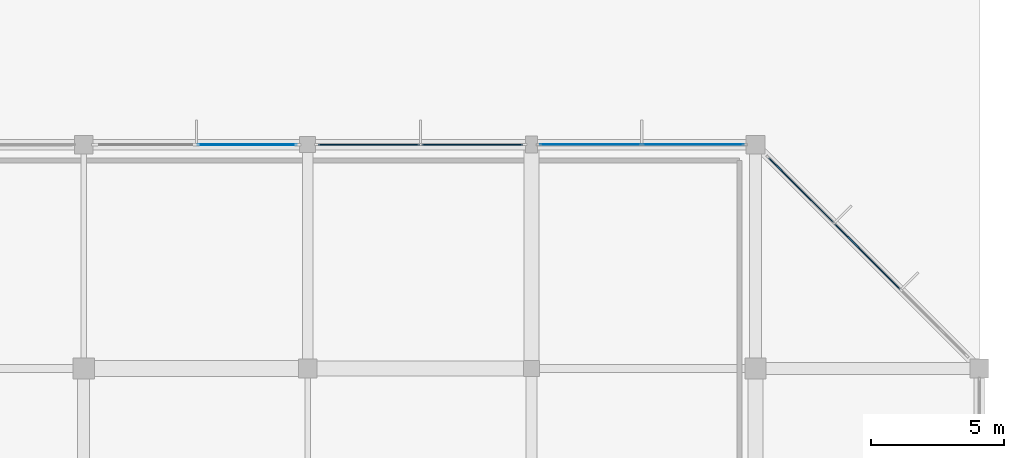
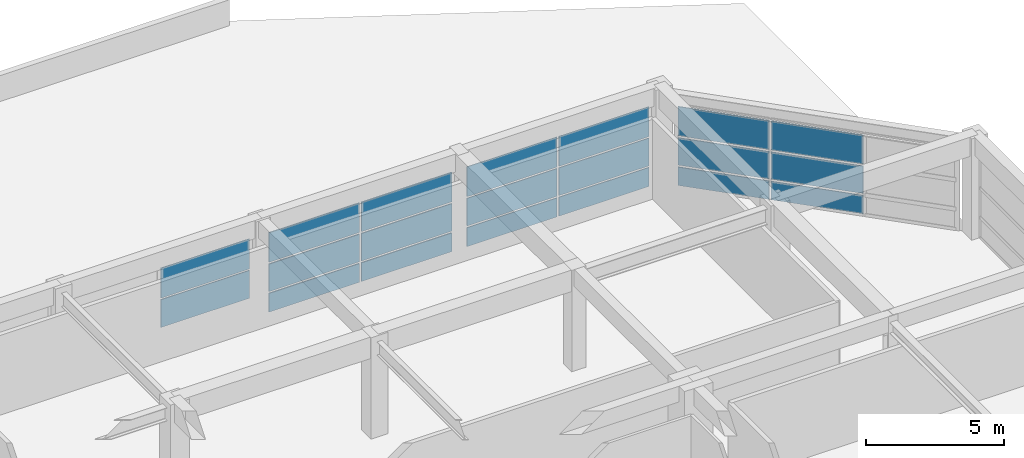
# One storey, part 42 of 60: 20 plates, 4 elements without a shape of their own.
"""IFC4 building model written with IfcOpenShell, lengths in metres."""

from ifc_helpers import new_model, si_unit, direction, frame, origin, origin_2d, place, context, subcontext, project, spatial, rectangle, extrude, material, layer, layer_set, type_object, element, aggregate, save


model = new_model("IFC4")

# Units and contexts
model_context = context("Model", 3, precision=1e-05, world=origin(), true_north=direction((0.0, 1.0)))
body_context = subcontext(model_context, "Body", "Model", "MODEL_VIEW")
ifc_project = project(units=[si_unit("LENGTHUNIT", "METRE"), si_unit("AREAUNIT", "SQUARE_METRE"), si_unit("VOLUMEUNIT", "CUBIC_METRE"), si_unit("PLANEANGLEUNIT", "RADIAN"), si_unit("MASSUNIT", "GRAM", prefix="KILO")], contexts=[model_context])

# Site, building, storey
site_placement = place(None, origin())
site = spatial("IfcSite", under=ifc_project, at=site_placement, CompositionType="ELEMENT")
building_placement = place(site_placement, origin())
building = spatial("IfcBuilding", under=site, at=building_placement, Name="Xuanlan Plaza Opera House", CompositionType="ELEMENT")
storey_placement = place(building_placement, frame((0.0, 0.0, 9.89990234375)))
storey = spatial("IfcBuildingStorey", under=building, at=storey_placement, Name="L02", CompositionType="ELEMENT", Elevation=9.89990234375)

# Curtain wall, plates
ifc_material_1 = material(Name="Anodised Aluminium 6063-T6 and Low-E Glass", Category="aluminium")
curtain_wall_type_1 = type_object("IfcCurtainWallType", Name="ENV-CW-CW-01", PredefinedType="USERDEFINED", material=ifc_material_1)
curtain_wall_1_placement = place(storey_placement, origin())
curtain_wall_1 = element("IfcCurtainWall", 1, at=curtain_wall_1_placement, inside=storey, type_object=curtain_wall_type_1, Name="Unitised Curtain Wall L02-029", ObjectType="UNITISED CURTAIN WALL", PredefinedType="USERDEFINED")
ifc_material_2 = material(Name="Laminated Acoustic Double Glazing", Category="glass")
ifc_layer_1 = layer(ifc_material_2, 0.028076171875)
ifc_layer_set_1 = layer_set([ifc_layer_1], Name="Laminated Acoustic Double Glazing")
plate_type_1 = type_object("IfcPlateType", Name="ENV-CWP-01", PredefinedType="CURTAIN_PANEL", material=ifc_layer_set_1)
plate_1_placement = place(storey_placement, frame((157.264892578125, 100.800048828125, 0.0703125), z_axis=(0.0, 0.0, 1.0), x_axis=(-1.0, 0.0, 0.0)))
plate_1 = element("IfcPlate", 2, at=plate_1_placement, type_object=plate_type_1, Name="CW-01 panel 1.1", PredefinedType="CURTAIN_PANEL", context=body_context, shape_type="SweptSolid", body=[
    extrude(rectangle(XDim=3.780029296875, YDim=0.028076171875, at=origin_2d()), origin(), (0.0, 0.0, 1.0), 0.844970703125),
])
plate_2_placement = place(storey_placement, frame((157.264892578125, 100.800048828125, 0.985107421875), z_axis=(0.0, 0.0, 1.0), x_axis=(-1.0, 0.0, 0.0)))
plate_2 = element("IfcPlate", 3, at=plate_2_placement, type_object=plate_type_1, Name="CW-01 panel 1.2", PredefinedType="CURTAIN_PANEL", context=body_context, shape_type="SweptSolid", body=[
    extrude(rectangle(XDim=3.780029296875, YDim=0.028076171875, at=origin_2d()), origin(), (0.0, 0.0, 1.0), 1.22998046875),
])
plate_3_placement = place(storey_placement, frame((157.264892578125, 100.800048828125, 2.28515625), z_axis=(0.0, 0.0, 1.0), x_axis=(-1.0, 0.0, 0.0)))
plate_3 = element("IfcPlate", 4, at=plate_3_placement, type_object=plate_type_1, Name="CW-01 panel 1.3", PredefinedType="CURTAIN_PANEL", context=body_context, shape_type="SweptSolid", body=[
    extrude(rectangle(XDim=3.780029296875, YDim=0.028076171875, at=origin_2d()), origin(), (0.0, 0.0, 1.0), 1.324951171875),
])
plate_4_placement = place(storey_placement, frame((153.409912109375, 100.800048828125, 0.0703125), z_axis=(0.0, 0.0, 1.0), x_axis=(-1.0, 0.0, 0.0)))
plate_4 = element("IfcPlate", 5, at=plate_4_placement, type_object=plate_type_1, Name="CW-01 panel 2.1", PredefinedType="CURTAIN_PANEL", context=body_context, shape_type="SweptSolid", body=[
    extrude(rectangle(XDim=3.780029296875, YDim=0.028076171875, at=origin_2d()), origin(), (0.0, 0.0, 1.0), 0.844970703125),
])
plate_5_placement = place(storey_placement, frame((153.409912109375, 100.800048828125, 0.985107421875), z_axis=(0.0, 0.0, 1.0), x_axis=(-1.0, 0.0, 0.0)))
plate_5 = element("IfcPlate", 6, at=plate_5_placement, type_object=plate_type_1, Name="CW-01 panel 2.2", PredefinedType="CURTAIN_PANEL", context=body_context, shape_type="SweptSolid", body=[
    extrude(rectangle(XDim=3.780029296875, YDim=0.028076171875, at=origin_2d()), origin(), (0.0, 0.0, 1.0), 1.22998046875),
])
plate_6_placement = place(storey_placement, frame((153.409912109375, 100.800048828125, 2.28515625), z_axis=(0.0, 0.0, 1.0), x_axis=(-1.0, 0.0, 0.0)))
plate_6 = element("IfcPlate", 7, at=plate_6_placement, type_object=plate_type_1, Name="CW-01 panel 2.3", PredefinedType="CURTAIN_PANEL", context=body_context, shape_type="SweptSolid", body=[
    extrude(rectangle(XDim=3.780029296875, YDim=0.028076171875, at=origin_2d()), origin(), (0.0, 0.0, 1.0), 1.324951171875),
])
aggregate(curtain_wall_1, [plate_1, plate_2, plate_3, plate_4, plate_5, plate_6])

curtain_wall_type_2 = type_object("IfcCurtainWallType", Name="ENV-CW-CW-03", PredefinedType="USERDEFINED", material=ifc_material_1)
curtain_wall_2_placement = place(storey_placement, origin())
curtain_wall_2 = element("IfcCurtainWall", 8, at=curtain_wall_2_placement, inside=storey, type_object=curtain_wall_type_2, Name="Unitised Curtain Wall L02-031", ObjectType="UNITISED CURTAIN WALL", PredefinedType="USERDEFINED")
ifc_layer_2 = layer(ifc_material_2, 0.031982421875)
ifc_layer_set_2 = layer_set([ifc_layer_2], Name="Laminated Acoustic Double Glazing")
plate_type_2 = type_object("IfcPlateType", Name="ENV-CWP-02", PredefinedType="CURTAIN_PANEL", material=ifc_layer_set_2)
plate_7_placement = place(storey_placement, frame((140.530029296875, 100.800048828125, 0.982421875), z_axis=(0.0, 0.0, 1.0), x_axis=(-1.0, 0.0, 0.0)))
plate_7 = element("IfcPlate", 9, at=plate_7_placement, type_object=plate_type_2, Name="CW-03 panel 1.2", PredefinedType="CURTAIN_PANEL", context=body_context, shape_type="SweptSolid", body=[
    extrude(rectangle(XDim=3.719970703125, YDim=0.031982421875, at=origin_2d()), origin(), (0.0, 0.0, 1.0), 1.235107421875),
])
plate_8_placement = place(storey_placement, frame((140.530029296875, 100.800048828125, 2.282470703125), z_axis=(0.0, 0.0, 1.0), x_axis=(-1.0, 0.0, 0.0)))
plate_8 = element("IfcPlate", 10, at=plate_8_placement, type_object=plate_type_2, Name="CW-03 panel 1.3", PredefinedType="CURTAIN_PANEL", context=body_context, shape_type="SweptSolid", body=[
    extrude(rectangle(XDim=3.719970703125, YDim=0.031982421875, at=origin_2d()), origin(), (0.0, 0.0, 1.0), 1.33251953125),
])
aggregate(curtain_wall_2, [plate_7, plate_8])

curtain_wall_type_3 = type_object("IfcCurtainWallType", Name="ENV-CW-CW-04", PredefinedType="USERDEFINED", material=ifc_material_1)
curtain_wall_3_placement = place(storey_placement, origin())
curtain_wall_3 = element("IfcCurtainWall", 11, at=curtain_wall_3_placement, inside=storey, type_object=curtain_wall_type_3, Name="Unitised Curtain Wall L02-028", ObjectType="UNITISED CURTAIN WALL", PredefinedType="USERDEFINED")
ifc_layer_3 = layer(ifc_material_2, 0.035888671875)
ifc_layer_set_3 = layer_set([ifc_layer_3], Name="Laminated Acoustic Double Glazing")
plate_type_3 = type_object("IfcPlateType", Name="ENV-CWP-03", PredefinedType="CURTAIN_PANEL", material=ifc_layer_set_3)
plate_9_placement = place(storey_placement, frame((163.800048828125, 96.60009765625, 0.090087890625), z_axis=(0.0, 0.0, 1.0), x_axis=(-0.707106781187, 0.707106781187, 0.0)))
plate_9 = element("IfcPlate", 12, at=plate_9_placement, type_object=plate_type_3, Name="CW-04 panel 2.1", PredefinedType="CURTAIN_PANEL", context=body_context, shape_type="SweptSolid", body=[
    extrude(rectangle(XDim=3.466552734375, YDim=0.035888671875, at=origin_2d()), origin(), (0.0, 0.0, 1.0), 0.81494140625),
])
plate_10_placement = place(storey_placement, frame((163.800048828125, 96.60009765625, 0.9951171875), z_axis=(0.0, 0.0, 1.0), x_axis=(-0.707106781187, 0.707106781187, 0.0)))
plate_10 = element("IfcPlate", 13, at=plate_10_placement, type_object=plate_type_3, Name="CW-04 panel 2.2", PredefinedType="CURTAIN_PANEL", context=body_context, shape_type="SweptSolid", body=[
    extrude(rectangle(XDim=3.466552734375, YDim=0.035888671875, at=origin_2d()), origin(), (0.0, 0.0, 1.0), 1.2099609375),
])
plate_11_placement = place(storey_placement, frame((163.800048828125, 96.60009765625, 2.295166015625), z_axis=(0.0, 0.0, 1.0), x_axis=(-0.707106781187, 0.707106781187, 0.0)))
plate_11 = element("IfcPlate", 14, at=plate_11_placement, type_object=plate_type_3, Name="CW-04 panel 2.3", PredefinedType="CURTAIN_PANEL", context=body_context, shape_type="SweptSolid", body=[
    extrude(rectangle(XDim=3.466552734375, YDim=0.035888671875, at=origin_2d()), origin(), (0.0, 0.0, 1.0), 1.294921875),
])
plate_12_placement = place(storey_placement, frame((161.311767578125, 99.08837890625, 0.090087890625), z_axis=(0.0, 0.0, 1.0), x_axis=(-0.707106781187, 0.707106781187, 0.0)))
plate_12 = element("IfcPlate", 15, at=plate_12_placement, type_object=plate_type_3, Name="CW-04 panel 3.1", PredefinedType="CURTAIN_PANEL", context=body_context, shape_type="SweptSolid", body=[
    extrude(rectangle(XDim=3.431396484375, YDim=0.035888671875, at=origin_2d()), origin(), (0.0, 0.0, 1.0), 0.81494140625),
])
plate_13_placement = place(storey_placement, frame((161.311767578125, 99.08837890625, 0.9951171875), z_axis=(0.0, 0.0, 1.0), x_axis=(-0.707106781187, 0.707106781187, 0.0)))
plate_13 = element("IfcPlate", 16, at=plate_13_placement, type_object=plate_type_3, Name="CW-04 panel 3.2", PredefinedType="CURTAIN_PANEL", context=body_context, shape_type="SweptSolid", body=[
    extrude(rectangle(XDim=3.431396484375, YDim=0.035888671875, at=origin_2d()), origin(), (0.0, 0.0, 1.0), 1.2099609375),
])
plate_14_placement = place(storey_placement, frame((161.311767578125, 99.08837890625, 2.295166015625), z_axis=(0.0, 0.0, 1.0), x_axis=(-0.707106781187, 0.707106781187, 0.0)))
plate_14 = element("IfcPlate", 17, at=plate_14_placement, type_object=plate_type_3, Name="CW-04 panel 3.3", PredefinedType="CURTAIN_PANEL", context=body_context, shape_type="SweptSolid", body=[
    extrude(rectangle(XDim=3.431396484375, YDim=0.035888671875, at=origin_2d()), origin(), (0.0, 0.0, 1.0), 1.294921875),
])
aggregate(curtain_wall_3, [plate_9, plate_10, plate_11, plate_12, plate_13, plate_14])

curtain_wall_type_4 = type_object("IfcCurtainWallType", Name="ENV-CW-CW-02", PredefinedType="USERDEFINED", material=ifc_material_1)
curtain_wall_4_placement = place(storey_placement, origin())
curtain_wall_4 = element("IfcCurtainWall", 18, at=curtain_wall_4_placement, inside=storey, type_object=curtain_wall_type_4, Name="Unitised Curtain Wall L02-030", ObjectType="UNITISED CURTAIN WALL", PredefinedType="USERDEFINED")
ifc_layer_4 = layer(ifc_material_2, 0.0400390625)
ifc_layer_set_4 = layer_set([ifc_layer_4], Name="Laminated Acoustic Double Glazing")
plate_type_4 = type_object("IfcPlateType", Name="ENV-CWP-04", PredefinedType="CURTAIN_PANEL", material=ifc_layer_set_4)
plate_15_placement = place(storey_placement, frame((148.976318359375, 100.800048828125, 0.080078125), z_axis=(0.0, 0.0, 1.0), x_axis=(-1.0, 0.0, 0.0)))
plate_15 = element("IfcPlate", 19, at=plate_15_placement, type_object=plate_type_4, Name="CW-02 panel 1.1", PredefinedType="CURTAIN_PANEL", context=body_context, shape_type="SweptSolid", body=[
    extrude(rectangle(XDim=3.797607421875, YDim=0.0400390625, at=origin_2d()), origin(), (0.0, 0.0, 1.0), 0.830078125),
])
plate_16_placement = place(storey_placement, frame((148.976318359375, 100.800048828125, 0.990234375), z_axis=(0.0, 0.0, 1.0), x_axis=(-1.0, 0.0, 0.0)))
plate_16 = element("IfcPlate", 20, at=plate_16_placement, type_object=plate_type_4, Name="CW-02 panel 1.2", PredefinedType="CURTAIN_PANEL", context=body_context, shape_type="SweptSolid", body=[
    extrude(rectangle(XDim=3.797607421875, YDim=0.0400390625, at=origin_2d()), origin(), (0.0, 0.0, 1.0), 1.219970703125),
])
plate_17_placement = place(storey_placement, frame((148.976318359375, 100.800048828125, 2.2900390625), z_axis=(0.0, 0.0, 1.0), x_axis=(-1.0, 0.0, 0.0)))
plate_17 = element("IfcPlate", 21, at=plate_17_placement, type_object=plate_type_4, Name="CW-02 panel 1.3", PredefinedType="CURTAIN_PANEL", context=body_context, shape_type="SweptSolid", body=[
    extrude(rectangle(XDim=3.797607421875, YDim=0.0400390625, at=origin_2d()), origin(), (0.0, 0.0, 1.0), 1.31005859375),
])
plate_18_placement = place(storey_placement, frame((145.0986328125, 100.800048828125, 0.080078125), z_axis=(0.0, 0.0, 1.0), x_axis=(-1.0, 0.0, 0.0)))
plate_18 = element("IfcPlate", 22, at=plate_18_placement, type_object=plate_type_4, Name="CW-02 panel 2.1", PredefinedType="CURTAIN_PANEL", context=body_context, shape_type="SweptSolid", body=[
    extrude(rectangle(XDim=3.797607421875, YDim=0.0400390625, at=origin_2d()), origin(), (0.0, 0.0, 1.0), 0.830078125),
])
plate_19_placement = place(storey_placement, frame((145.0986328125, 100.800048828125, 0.990234375), z_axis=(0.0, 0.0, 1.0), x_axis=(-1.0, 0.0, 0.0)))
plate_19 = element("IfcPlate", 23, at=plate_19_placement, type_object=plate_type_4, Name="CW-02 panel 2.2", PredefinedType="CURTAIN_PANEL", context=body_context, shape_type="SweptSolid", body=[
    extrude(rectangle(XDim=3.797607421875, YDim=0.0400390625, at=origin_2d()), origin(), (0.0, 0.0, 1.0), 1.219970703125),
])
plate_20_placement = place(storey_placement, frame((145.0986328125, 100.800048828125, 2.2900390625), z_axis=(0.0, 0.0, 1.0), x_axis=(-1.0, 0.0, 0.0)))
plate_20 = element("IfcPlate", 24, at=plate_20_placement, type_object=plate_type_4, Name="CW-02 panel 2.3", PredefinedType="CURTAIN_PANEL", context=body_context, shape_type="SweptSolid", body=[
    extrude(rectangle(XDim=3.797607421875, YDim=0.0400390625, at=origin_2d()), origin(), (0.0, 0.0, 1.0), 1.31005859375),
])
aggregate(curtain_wall_4, [plate_15, plate_16, plate_17, plate_18, plate_19, plate_20])

save(model, "model.ifc")
